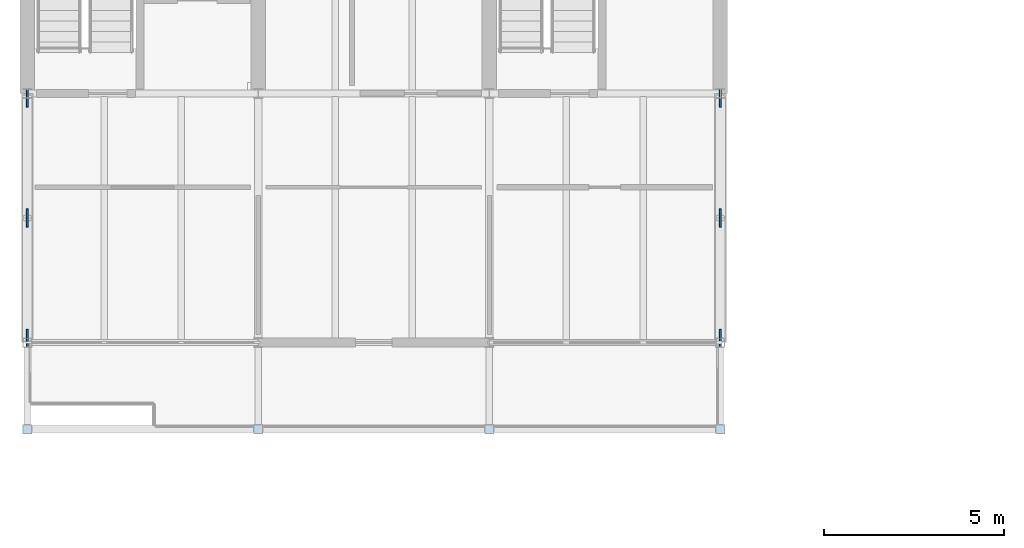
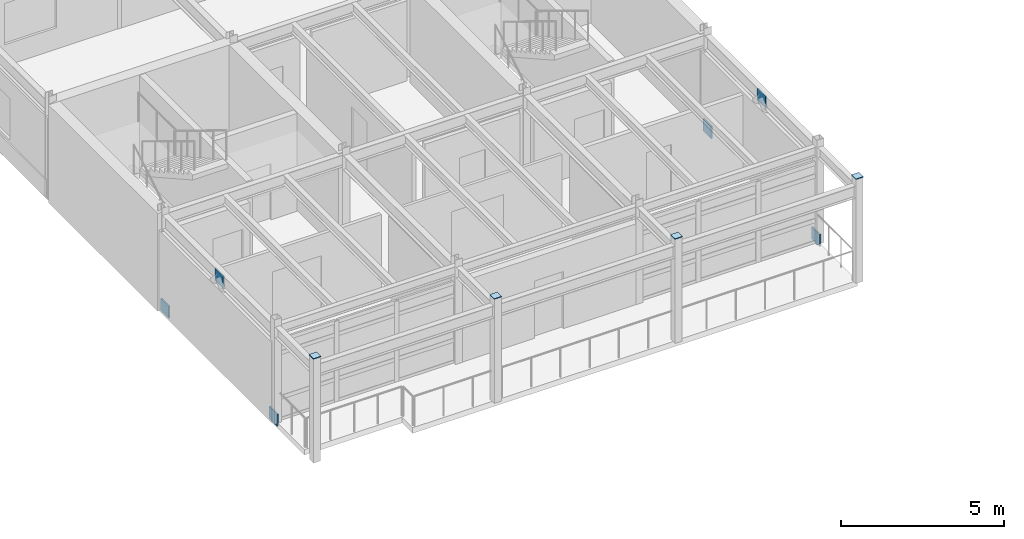
# One storey, part 17 of 26: 10 plates.
"""IFC4 building model written with IfcOpenShell, lengths in metres."""

from ifc_helpers import new_model, si_unit, direction, frame, origin, origin_2d, place, context, subcontext, project, spatial, rectangle, extrude, material, layer, layer_set, type_object, element, save


model = new_model("IFC4")

# Units and contexts
model_context = context("Model", 3, precision=1e-05, world=origin(), true_north=direction((0.0, 1.0)))
body_context = subcontext(model_context, "Body", "Model", "MODEL_VIEW")
ifc_project = project(units=[si_unit("LENGTHUNIT", "METRE"), si_unit("AREAUNIT", "SQUARE_METRE"), si_unit("VOLUMEUNIT", "CUBIC_METRE"), si_unit("PLANEANGLEUNIT", "RADIAN"), si_unit("MASSUNIT", "GRAM", prefix="KILO")], contexts=[model_context])

# Site, building, storey
site_placement = place(None, origin())
site = spatial("IfcSite", under=ifc_project, at=site_placement, CompositionType="ELEMENT")
building_placement = place(site_placement, origin())
building = spatial("IfcBuilding", under=site, at=building_placement, Name="Trelmorton Wharf Fire Station", CompositionType="ELEMENT")
storey_placement = place(building_placement, frame((0.0, 0.0, 17.39990234375)))
storey = spatial("IfcBuildingStorey", under=building, at=storey_placement, Name="L04", CompositionType="ELEMENT", Elevation=17.39990234375)

# Plates
ifc_material = material(Name="Steel Grade 350", Category="steel")
ifc_layer_1 = layer(ifc_material, 0.02001953125)
ifc_layer_set_1 = layer_set([ifc_layer_1], Name="Steel Grade 350")
plate_type_1 = type_object("IfcPlateType", Name="PL_ENDCAP_20", PredefinedType="SHEET", material=ifc_layer_set_1)
for number, where, z_axis, x_axis, name in (
    (1, (70.800048828125, 57.89990234375, 3.898193359375), (0.0, 0.0, 1.0), (1.0, 0.0, 0.0), "PL-COLCAP-T-0692"),
    (2, (77.199951171875, 57.89990234375, 3.898193359375), (0.0, 0.0, 1.0), (1.0, 0.0, 0.0), "PL-COLCAP-T-0697"),
    (3, (83.60009765625, 57.89990234375, 3.898193359375), (0.0, 0.0, 1.0), (1.0, 0.0, 0.0), "PL-COLCAP-T-0702"),
    (4, (90.0, 57.89990234375, 3.898193359375), (0.0, 0.0, 1.0), (1.0, 0.0, 0.0), "PL-COLCAP-T-0707"),
):
    element("IfcPlate", number, at=place(storey_placement, frame(where, z_axis=z_axis, x_axis=x_axis)), inside=storey, type_object=plate_type_1, Name=name, PredefinedType="SHEET", context=body_context, shape_type="SweptSolid", body=[
        extrude(rectangle(XDim=0.27001953125, YDim=0.27001953125, at=origin_2d()), origin(), (0.0, 0.0, 1.0), 0.02392578125),
    ])
ifc_layer_2 = layer(ifc_material, 0.050048828125)
ifc_layer_set_2 = layer_set([ifc_layer_2], Name="Steel Grade 350")
plate_type_2 = type_object("IfcPlateType", Name="PL_GUSSET_TN2", PredefinedType="USERDEFINED", material=ifc_layer_set_2)
for number, where, z_axis, x_axis, name in (
    (5, (70.800048828125, 60.422119140625, -0.10498046875), (0.0, 0.0, 1.0), (1.0, 0.0, 0.0), "PL-CBF-0412"),
    (6, (70.800048828125, 67.072998046875, -0.10498046875), (0.0, 0.0, 1.0), (1.0, 0.0, 0.0), "PL-CBF-0413"),
    (7, (70.800048828125, 63.75, 3.05517578125), (0.0, 0.0, 1.0), (1.0, 0.0, 0.0), "PL-CBF-0414"),
    (8, (90.0, 60.422119140625, -0.10498046875), (0.0, 0.0, 1.0), (1.0, 0.0, 0.0), "PL-CBF-0433"),
    (9, (90.0, 67.072998046875, -0.10498046875), (0.0, 0.0, 1.0), (1.0, 0.0, 0.0), "PL-CBF-0434"),
    (10, (90.0, 63.75, 3.05517578125), (0.0, 0.0, 1.0), (1.0, 0.0, 0.0), "PL-CBF-0435"),
):
    element("IfcPlate", number, at=place(storey_placement, frame(where, z_axis=z_axis, x_axis=x_axis)), inside=storey, type_object=plate_type_2, Name=name, ObjectType="GUSSET PLATE", PredefinedType="USERDEFINED", context=body_context, shape_type="SweptSolid", body=[
        extrude(rectangle(XDim=0.050048828125, YDim=0.5, at=origin_2d()), origin(), (0.0, 0.0, 1.0), 0.449951171875),
    ])

save(model, "model.ifc")
